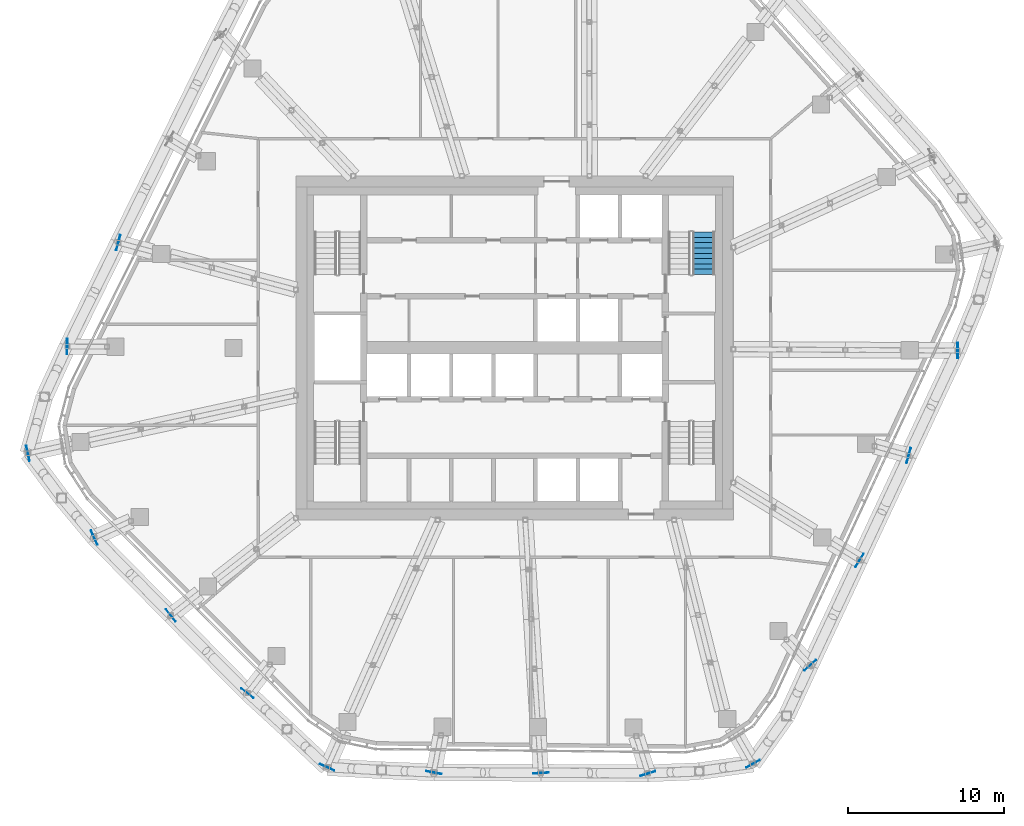
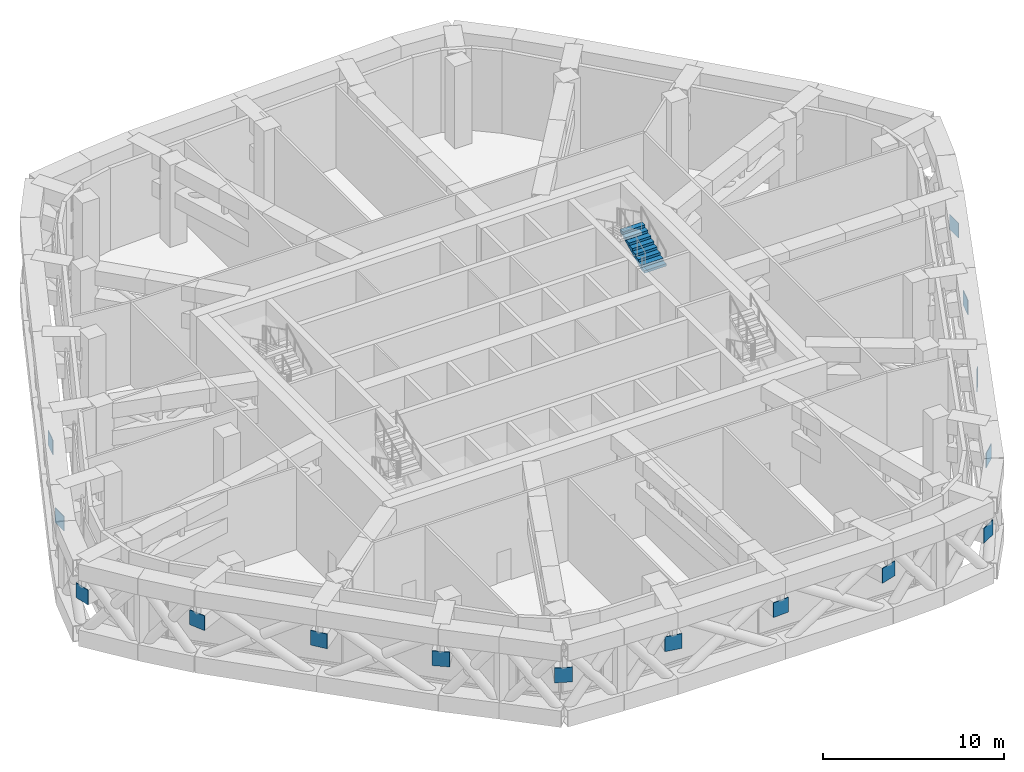
# One storey, part 19 of 31: 15 discrete accessories, 1 stair flight, 1 element without a shape of its own.
"""IFC4 building model written with IfcOpenShell, lengths in metres."""

from ifc_helpers import new_model, si_unit, direction, frame, origin, origin_2d, place, context, subcontext, project, spatial, polyline, rectangle, outline, extrude, material, layer, layer_set, type_object, element, aggregate, save


model = new_model("IFC4")

# Units and contexts
model_context = context("Model", 3, precision=1e-05, world=origin(), true_north=direction((0.0, 1.0)))
body_context = subcontext(model_context, "Body", "Model", "MODEL_VIEW")
ifc_project = project(units=[si_unit("LENGTHUNIT", "METRE"), si_unit("AREAUNIT", "SQUARE_METRE"), si_unit("VOLUMEUNIT", "CUBIC_METRE"), si_unit("PLANEANGLEUNIT", "RADIAN"), si_unit("MASSUNIT", "GRAM", prefix="KILO")], contexts=[model_context])

# Site, building, storey
site_placement = place(None, origin())
site = spatial("IfcSite", under=ifc_project, at=site_placement, CompositionType="ELEMENT")
building_placement = place(site_placement, origin())
building = spatial("IfcBuilding", under=site, at=building_placement, Name="Dongbaek Canopy Tower", CompositionType="ELEMENT")
storey_placement = place(building_placement, frame((0.0, 0.0, 283.199951171875)))
storey = spatial("IfcBuildingStorey", under=building, at=storey_placement, Name="L60", CompositionType="ELEMENT", Elevation=283.199951171875)

# Stair, stair flight
ifc_material_1 = material(Name="Concrete C40/50", Category="concrete")
stair_type = type_object("IfcStairType", Name="Core exit stair", PredefinedType="HALF_TURN_STAIR", material=ifc_material_1)
stair_placement = place(storey_placement, origin())
stair = element("IfcStair", 1, at=stair_placement, inside=storey, type_object=stair_type, Name="L60 exit stair A", PredefinedType="HALF_TURN_STAIR")
ifc_material_2 = material(Name="Concrete C40/50", Category="concrete")
ifc_layer = layer(ifc_material_2, 0.14990234375)
ifc_layer_set = layer_set([ifc_layer], Name="Core stair flight 150 waist")
stair_flight_type = type_object("IfcStairFlightType", Name="Core stair flight 150 waist", PredefinedType="STRAIGHT", material=ifc_layer_set)
stair_flight_placement = place(storey_placement, frame((12.10009765625, 4.699951171875, 3.0), z_axis=(0.0, 0.0, 1.0), x_axis=(0.0, 1.0, 0.0)))
stair_flight = element("IfcStairFlight", 2, at=stair_flight_placement, type_object=stair_flight_type, Name="ST-A flight 3", NumberOfRisers=9, NumberOfTreads=8, PredefinedType="STRAIGHT", RiserHeight=0.166666667, TreadLength=0.34, context=body_context, shape_type="SweptSolid", body=[
    extrude(outline(polyline([(0.0, 0.0), (0.0, 0.166748046875), (0.340087890625, 0.166748046875), (0.340087890625, 0.333251953125), (0.679931640625, 0.333251953125), (0.679931640625, 0.5), (1.02001953125, 0.5), (1.02001953125, 0.666748046875), (1.360107421875, 0.666748046875), (1.360107421875, 0.833251953125), (1.699951171875, 0.833251953125), (1.699951171875, 1.0), (2.0400390625, 1.0), (2.0400390625, 1.166748046875), (2.3798828125, 1.166748046875), (2.3798828125, 1.333251953125), (2.719970703125, 1.333251953125), (2.719970703125, 1.5), (2.719970703125, 1.16650390625), (0.340576171875, 0.0), (0.0, 0.0)])), frame((0.0, 0.699951171875, 0.0), z_axis=(0.0, -1.0, 0.0), x_axis=(1.0, 0.0, 0.0)), (0.0, 0.0, 1.0), 1.39990234375),
])
aggregate(stair, [stair_flight])

# Discrete accessories
ifc_material_3 = material(Name="Steel S355 end plate", Category="steel")
discrete_accessory_type = type_object("IfcDiscreteAccessoryType", Name="Chord end plate EP 1000x1000x40", PredefinedType="BRACKET", material=ifc_material_3)
for number, where, z_axis, x_axis, name in (
    (3, (15.261962890625, -26.624267578125, 2.699951171875), (0.0, 0.0, 1.0), (-0.497319235976, 0.8675676213, 0.0), "End plate TR60-01s"),
    (4, (8.539306640625, -27.246337890625, 2.699951171875), (0.0, 0.0, 1.0), (-0.299070770453, 0.954230933402, 0.0), "End plate TR60-02"),
    (5, (1.68408203125, -27.217041015625, 2.699951171875), (0.0, 0.0, 1.0), (-0.061764516124, 0.998090749656, 0.0), "End plate TR60-03s"),
    (6, (-5.170166015625, -27.1865234375, 2.699951171875), (0.0, 0.0, 1.0), (0.186827528901, 0.98239272923, 0.0), "End plate TR60-04"),
    (7, (-11.993896484375, -26.84912109375, 2.699951171875), (0.0, 0.0, 1.0), (0.407868381202, 0.913040734916, 0.0), "End plate TR60-05s"),
    (8, (-17.09619140625, -22.10498046875, 2.699951171875), (0.0, 0.0, 1.0), (0.611785244434, 0.791023902732, 0.0), "End plate TR60-06"),
    (9, (-22.001708984375, -17.124267578125, 2.699951171875), (0.0, 0.0, 1.0), (0.789148408304, 0.614202564039, 0.0), "End plate TR60-07s"),
    (10, (-26.9072265625, -12.142333984375, 2.699951171875), (0.0, 0.0, 1.0), (0.911489444011, 0.411323465725, 0.0), "End plate TR60-08"),
    (11, (-31.1484375, -6.74951171875, 2.699951171875), (0.0, 0.0, 1.0), (0.977319158286, 0.211771723434, 0.0), "End plate TR60-09s"),
    (12, (-28.636962890625, 0.085205078125, 2.699951171875), (0.0, 0.0, 1.0), (0.999995572351, -0.002975781983, 0.0), "End plate TR60-10"),
    (13, (-25.3662109375, 6.740478515625, 2.699951171875), (0.0, 0.0, 1.0), (0.966460846425, -0.256814003372, 0.0), "End plate TR60-11s"),
    (14, (28.37109375, -0.17041015625, 2.699951171875), (0.0, 0.0, 1.0), (-0.999981955487, 0.006007387152, 0.0), "End plate TR60-23s"),
    (15, (25.2294921875, -6.884033203125, 2.699951171875), (0.0, 0.0, 1.0), (-0.96473221354, 0.263233273272, 0.0), "End plate TR60-24"),
    (16, (22.0849609375, -13.5986328125, 2.699951171875), (0.0, 0.0, 1.0), (-0.851522929909, 0.524317365571, 0.0), "End plate TR60-25s"),
    (17, (18.9384765625, -20.310791015625, 2.699951171875), (0.0, 0.0, 1.0), (-0.681963895074, 0.731385839223, 0.0), "End plate TR60-26"),
):
    element("IfcDiscreteAccessory", number, at=place(storey_placement, frame(where, z_axis=z_axis, x_axis=x_axis)), inside=storey, type_object=discrete_accessory_type, Name=name, PredefinedType="BRACKET", context=body_context, shape_type="SweptSolid", body=[
        extrude(rectangle(XDim=0.0400390625, YDim=1.0, at=origin_2d()), origin(), (0.0, 0.0, 1.0), 1.0),
    ])

save(model, "model.ifc")
